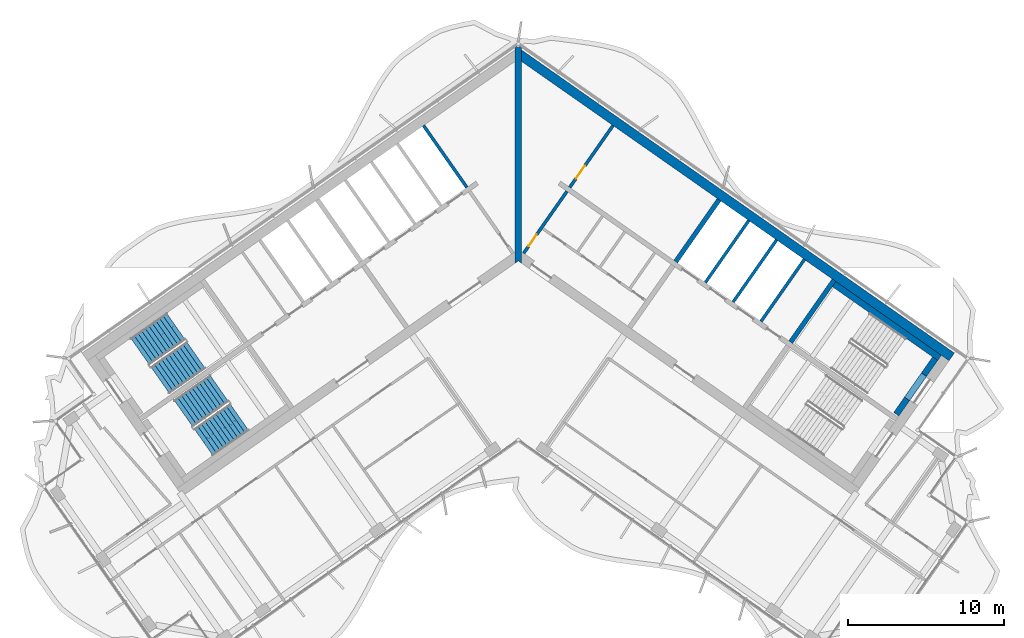
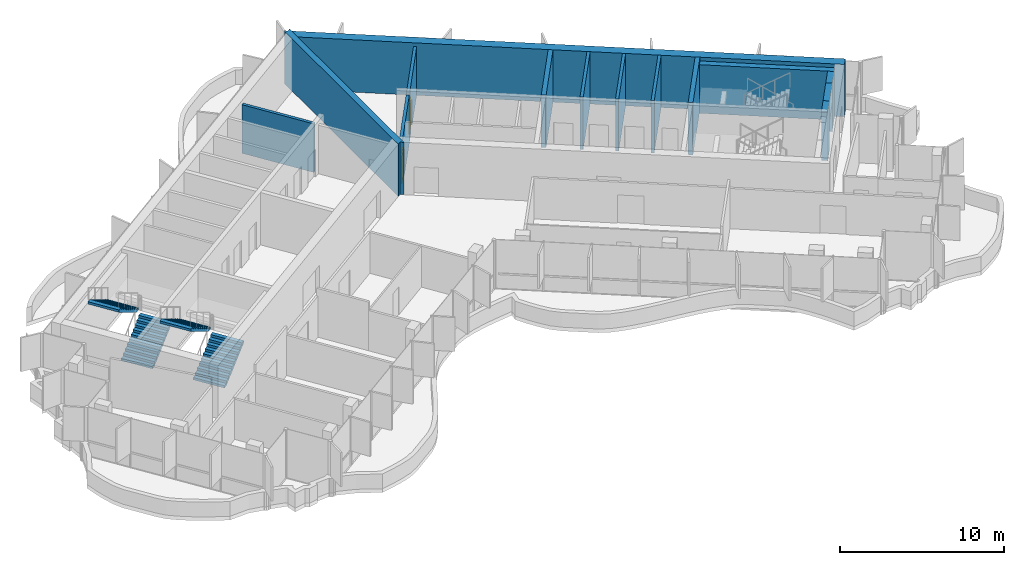
# One storey, part 11 of 18: 14 walls, 4 stair flights, 2 doors, 2 openings, 2 elements without a shape of their own.
"""IFC4 building model written with IfcOpenShell, lengths in metres."""

from ifc_helpers import new_model, si_unit, direction, frame, frame_2d, origin, place, context, subcontext, project, spatial, polyline, rectangle, outline, extrude, material, layer, layer_set, type_object, element, fill, aggregate, save


model = new_model("IFC4")

# Units and contexts
model_context = context("Model", 3, precision=1e-05, world=origin(), true_north=direction((0.0, 1.0)))
body_context = subcontext(model_context, "Body", "Model", "MODEL_VIEW")
ifc_project = project(units=[si_unit("LENGTHUNIT", "METRE"), si_unit("AREAUNIT", "SQUARE_METRE"), si_unit("VOLUMEUNIT", "CUBIC_METRE"), si_unit("PLANEANGLEUNIT", "RADIAN"), si_unit("MASSUNIT", "GRAM", prefix="KILO")], contexts=[model_context])

# Site, building, storey
site_placement = place(None, origin())
site = spatial("IfcSite", under=ifc_project, at=site_placement, CompositionType="ELEMENT")
building_placement = place(site_placement, origin())
building = spatial("IfcBuilding", under=site, at=building_placement, Name="Tel Ilan Convention Tower", CompositionType="ELEMENT")
storey_placement = place(building_placement, frame((0.0, 0.0, 303.39990234375)))
storey = spatial("IfcBuildingStorey", under=building, at=storey_placement, Name="L72", CompositionType="ELEMENT", Elevation=303.39990234375)

# Wall
ifc_material_1 = material(Name="Concrete C30/37", Category="concrete")
ifc_layer_1 = layer(ifc_material_1, 0.199951171875)
ifc_layer_set_1 = layer_set([ifc_layer_1], Name="Core Service Room Wall 200 mm C30/37")
wall_type_1 = type_object("IfcWallType", Name="Core Service Room Wall 200 mm C30/37", PredefinedType="SOLIDWALL", material=ifc_layer_set_1)
wall_1_placement = place(storey_placement, frame((-3.2978515625, 3.489501953125, 0.0), z_axis=(0.0, 0.0, 1.0), x_axis=(-0.573560315113, 0.819163332265, 0.0)))
element("IfcWall", 1, at=wall_1_placement, inside=storey, type_object=wall_type_1, Name="L72 core wall apex-W-b", PredefinedType="SOLIDWALL", context=body_context, shape_type="SweptSolid", body=[
    extrude(rectangle(XDim=4.849853515625, YDim=0.199951171875, at=frame_2d((2.4248046875, 0.0))), origin(), (0.0, 0.0, 1.0), 3.6201171875),
])

# Wall, opening, door
wall_2_placement = place(storey_placement, frame((0.343994140625, -0.729248046875, 0.0), z_axis=(0.0, 0.0, 1.0), x_axis=(0.573560315113, 0.819163332265, 0.0)))
wall_2 = element("IfcWall", 2, at=wall_2_placement, inside=storey, type_object=wall_type_1, Name="L72 core wall apex-E", PredefinedType="SOLIDWALL", context=body_context, shape_type="SweptSolid", body=[
    extrude(rectangle(XDim=4.849853515625, YDim=0.199951171875, at=frame_2d((2.4248046875, 0.0))), origin(), (0.0, 0.0, 1.0), 3.6201171875),
])
opening_1_placement = place(wall_2_placement, frame((0.550048828125, 0.0, 0.0)))
opening_1 = element("IfcOpeningElement", 3, at=opening_1_placement, cuts=wall_2, Name="Opening CD5401", PredefinedType="OPENING", context=body_context, shape_type="SweptSolid", body=[
    extrude(rectangle(XDim=0.89990234375, YDim=2.10009765625, at=frame_2d((0.449951171875, 1.050048828125))), frame((0.0, 0.10986328125, 0.0), z_axis=(0.0, -1.0, 0.0), x_axis=(1.0, 0.0, 0.0)), (0.0, 0.0, 1.0), 0.219970703125),
])
ifc_material_2 = material(Name="Galvanised Steel Door Leaf", Category="steel")
door_type_1 = type_object("IfcDoorType", Name="Service Room Door 900 x 2100 FD60", OperationType="NOTDEFINED", PredefinedType="DOOR", material=ifc_material_2)
door_1_placement = place(opening_1_placement, origin())
door_1 = element("IfcDoor", 4, at=door_1_placement, inside=storey, type_object=door_type_1, Name="Data Room door", OperationType="SINGLE_SWING_RIGHT", OverallHeight=2.10009765625, OverallWidth=0.89990234375, PredefinedType="DOOR", context=body_context, shape_type="SweptSolid", body=[
    extrude(rectangle(XDim=0.89990234375, YDim=2.10009765625, at=frame_2d((0.449951171875, 1.050048828125))), frame((0.0, 0.02490234375, 0.0), z_axis=(0.0, -1.0, 0.0), x_axis=(1.0, 0.0, 0.0)), (0.0, 0.0, 1.0), 0.050048828125),
])
fill(opening_1, door_1)

wall_3_placement = place(storey_placement, frame((3.2978515625, 3.489501953125, 0.0), z_axis=(0.0, 0.0, 1.0), x_axis=(0.573560315113, 0.819163332265, 0.0)))
wall_3 = element("IfcWall", 5, at=wall_3_placement, inside=storey, type_object=wall_type_1, Name="L72 core wall apex-E-b", PredefinedType="SOLIDWALL", context=body_context, shape_type="SweptSolid", body=[
    extrude(rectangle(XDim=4.849853515625, YDim=0.199951171875, at=frame_2d((2.4248046875, 0.0))), origin(), (0.0, 0.0, 1.0), 3.6201171875),
])
opening_2_placement = place(wall_3_placement, frame((0.699951171875, 0.0, 0.0)))
opening_2 = element("IfcOpeningElement", 6, at=opening_2_placement, cuts=wall_3, Name="Opening CD5403", PredefinedType="OPENING", context=body_context, shape_type="SweptSolid", body=[
    extrude(rectangle(XDim=1.0, YDim=2.10009765625, at=frame_2d((0.5, 1.050048828125))), frame((0.0, 0.10986328125, 0.0), z_axis=(0.0, -1.0, 0.0), x_axis=(1.0, 0.0, 0.0)), (0.0, 0.0, 1.0), 0.219970703125),
])
ifc_material_3 = material(Name="Galvanised Steel Door Leaf", Category="steel")
door_type_2 = type_object("IfcDoorType", Name="Service Room Door 1000 x 2100 FD60", OperationType="NOTDEFINED", PredefinedType="DOOR", material=ifc_material_3)
door_2_placement = place(opening_2_placement, origin())
door_2 = element("IfcDoor", 7, at=door_2_placement, inside=storey, type_object=door_type_2, Name="Plant Room door", OperationType="SINGLE_SWING_RIGHT", OverallHeight=2.10009765625, OverallWidth=1.0, PredefinedType="DOOR", context=body_context, shape_type="SweptSolid", body=[
    extrude(rectangle(XDim=1.0, YDim=2.10009765625, at=frame_2d((0.5, 1.050048828125))), frame((0.0, 0.02490234375, 0.0), z_axis=(0.0, -1.0, 0.0), x_axis=(1.0, 0.0, 0.0)), (0.0, 0.0, 1.0), 0.050048828125),
])
fill(opening_2, door_2)

# Walls
ifc_material_4 = material(Name="Concrete C40/50", Category="concrete")
ifc_layer_2 = layer(ifc_material_4, 0.300048828125)
ifc_layer_set_2 = layer_set([ifc_layer_2], Name="Core Shear Wall 300 mm C40/50")
wall_type_2 = type_object("IfcWallType", Name="Core Shear Wall 300 mm C40/50", PredefinedType="SHEAR", material=ifc_layer_set_2)
wall_4_placement = place(storey_placement, frame((10.096923828125, -1.271240234375, 0.0), z_axis=(0.0, 0.0, 1.0), x_axis=(0.573560315113, 0.819163332265, 0.0)))
element("IfcWall", 8, at=wall_4_placement, inside=storey, type_object=wall_type_2, Name="L72 core wall E-cross1-2", PredefinedType="SHEAR", context=body_context, shape_type="SweptSolid", body=[
    extrude(outline(polyline([(4.849853515625, -0.150146484375), (4.849853515625, 0.14990234375), (0.0, 0.150146484375), (0.0, -0.14990234375), (4.849853515625, -0.150146484375)])), origin(), (0.0, 0.0, 1.0), 3.900146484375),
])
wall_5_placement = place(storey_placement, frame((17.46923828125, -6.433349609375, 0.0), z_axis=(0.0, 0.0, 1.0), x_axis=(0.573594092424, 0.81913968109, 0.0)))
element("IfcWall", 9, at=wall_5_placement, inside=storey, type_object=wall_type_2, Name="L72 core wall E-cross2-2", PredefinedType="SHEAR", context=body_context, shape_type="SweptSolid", body=[
    extrude(outline(polyline([(4.849853515625, -0.14990234375), (4.849853515625, 0.150146484375), (0.0, 0.14990234375), (0.0, -0.14990234375), (4.849853515625, -0.14990234375)])), origin(), (0.0, 0.0, 1.0), 3.900146484375),
])
ifc_material_5 = material(Name="Concrete C40/50", Category="concrete")
ifc_layer_3 = layer(ifc_material_5, 0.39990234375)
ifc_layer_set_3 = layer_set([ifc_layer_3], Name="Core Shear Wall 400 mm C40/50")
wall_type_3 = type_object("IfcWallType", Name="Core Shear Wall 400 mm C40/50", PredefinedType="SHEAR", material=ifc_layer_set_3)
wall_6_placement = place(storey_placement, frame((0.0, -1.36083984375, 0.0), z_axis=(0.0, 0.0, 1.0), x_axis=(0.0, 1.0, 0.0)))
element("IfcWall", 10, at=wall_6_placement, inside=storey, type_object=wall_type_3, Name="L72 core wall K-central", PredefinedType="SHEAR", context=body_context, shape_type="SweptSolid", body=[
    extrude(outline(polyline([(0.14013671875, 0.199951171875), (0.0, 0.199951171875), (0.14013671875, 0.0), (0.0, -0.199951171875), (0.14013671875, -0.199951171875), (1.012451171875, -0.199951171875), (12.940185546875, -0.199951171875), (13.812744140625, -0.199951171875), (13.893310546875, -0.199951171875), (13.933349609375, -0.172119140625), (13.812744140625, 0.0), (13.933349609375, 0.172119140625), (13.893310546875, 0.199951171875), (13.812744140625, 0.199951171875), (12.940185546875, 0.199951171875), (1.012451171875, 0.199951171875), (0.14013671875, 0.199951171875)])), origin(), (0.0, 0.0, 1.0), 3.900146484375),
])
ifc_material_6 = material(Name="Concrete C40/50", Category="concrete")
ifc_layer_4 = layer(ifc_material_6, 0.60009765625)
ifc_layer_set_4 = layer_set([ifc_layer_4], Name="Core Shear Wall 600 mm C40/50")
wall_type_4 = type_object("IfcWallType", Name="Core Shear Wall 600 mm C40/50", PredefinedType="SHEAR", material=ifc_layer_set_4)
wall_7_placement = place(storey_placement, frame((0.02783203125, 12.066162109375, 0.0), z_axis=(0.0, 0.0, 1.0), x_axis=(0.819151382952, -0.573577380837, 0.0)))
element("IfcWall", 11, at=wall_7_placement, inside=storey, type_object=wall_type_4, Name="L72 core wall E-back", PredefinedType="SHEAR", context=body_context, shape_type="SweptSolid", body=[
    extrude(outline(polyline([(33.898193359375, 0.300048828125), (0.0, 0.300048828125), (0.420166015625, -0.300048828125), (33.89794921875, -0.300048828125), (33.898193359375, 0.300048828125)])), origin(), (0.0, 0.0, 1.0), 3.900146484375),
])
ifc_material_7 = material(Name="Concrete C30/37", Category="concrete")
ifc_layer_5 = layer(ifc_material_7, 0.199951171875)
ifc_layer_set_5 = layer_set([ifc_layer_5], Name="Lift Shaft Wall 200 mm C30/37")
wall_type_5 = type_object("IfcWallType", Name="Lift Shaft Wall 200 mm C30/37", PredefinedType="SOLIDWALL", material=ifc_layer_set_5)
wall_8_placement = place(storey_placement, frame((12.00146484375, -2.604736328125, 0.0), z_axis=(0.0, 0.0, 1.0), x_axis=(0.573560315113, 0.819163332265, 0.0)))
element("IfcWall", 12, at=wall_8_placement, inside=storey, type_object=wall_type_5, Name="L72 core wall bank-E2-p0", PredefinedType="SOLIDWALL", context=body_context, shape_type="SweptSolid", body=[
    extrude(rectangle(XDim=4.849853515625, YDim=0.199951171875, at=frame_2d((2.4248046875, 0.0))), origin(), (0.0, 0.0, 1.0), 3.900146484375),
])
wall_9_placement = place(storey_placement, frame((13.782958984375, -3.852294921875, 0.0), z_axis=(0.0, 0.0, 1.0), x_axis=(0.573594092424, 0.81913968109, 0.0)))
element("IfcWall", 13, at=wall_9_placement, inside=storey, type_object=wall_type_5, Name="L72 core wall bank-E2-p1", PredefinedType="SOLIDWALL", context=body_context, shape_type="SweptSolid", body=[
    extrude(rectangle(XDim=4.85009765625, YDim=0.199951171875, at=frame_2d((2.425048828125, 0.0))), origin(), (0.0, 0.0, 1.0), 3.900146484375),
])
wall_10_placement = place(storey_placement, frame((15.564697265625, -5.099853515625, 0.0), z_axis=(0.0, 0.0, 1.0), x_axis=(0.573560315113, 0.819163332265, 0.0)))
element("IfcWall", 14, at=wall_10_placement, inside=storey, type_object=wall_type_5, Name="L72 core wall bank-E2-p2", PredefinedType="SOLIDWALL", context=body_context, shape_type="SweptSolid", body=[
    extrude(rectangle(XDim=4.849853515625, YDim=0.199951171875, at=frame_2d((2.4248046875, 0.0))), origin(), (0.0, 0.0, 1.0), 3.900146484375),
])
ifc_material_8 = material(Name="Concrete C30/37", Category="concrete")
ifc_layer_6 = layer(ifc_material_8, 0.39990234375)
ifc_layer_set_6 = layer_set([ifc_layer_6], Name="Stair and Shaft Lining Wall 400 mm C30/37")
wall_type_6 = type_object("IfcWallType", Name="Stair and Shaft Lining Wall 400 mm C30/37", PredefinedType="SOLIDWALL", material=ifc_layer_set_6)
wall_11_placement = place(storey_placement, frame((20.25927734375, -2.71044921875, 0.0), z_axis=(0.0, 0.0, 1.0), x_axis=(0.81914849389, -0.573581506813, 0.0)))
element("IfcWall", 15, at=wall_11_placement, inside=storey, type_object=wall_type_6, Name="L72 core wall lining-S3-t1", PredefinedType="SOLIDWALL", context=body_context, shape_type="SweptSolid", body=[
    extrude(rectangle(XDim=8.249755859375, YDim=0.39990234375, at=frame_2d((4.125, 0.0))), origin(), (0.0, 0.0, 1.0), 3.6201171875),
])
wall_12_placement = place(storey_placement, frame((24.24365234375, -11.0546875, 0.0), z_axis=(0.0, 0.0, 1.0), x_axis=(0.573571582932, 0.819155442668, 0.0)))
element("IfcWall", 16, at=wall_12_placement, inside=storey, type_object=wall_type_6, Name="L72 core wall lining-S3-u1-0", PredefinedType="SOLIDWALL", context=body_context, shape_type="SweptSolid", body=[
    extrude(rectangle(XDim=1.199951171875, YDim=0.39990234375, at=frame_2d((0.60009765625, 0.0))), origin(), (0.0, 0.0, 1.0), 3.6201171875),
])
wall_13_placement = place(storey_placement, frame((26.021728515625, -8.515380859375, 0.0), z_axis=(0.0, 0.0, 1.0), x_axis=(0.573619628835, 0.819121798889, 0.0)))
element("IfcWall", 17, at=wall_13_placement, inside=storey, type_object=wall_type_6, Name="L72 core wall lining-S3-u1-1", PredefinedType="SOLIDWALL", context=body_context, shape_type="SweptSolid", body=[
    extrude(rectangle(XDim=1.25, YDim=0.39990234375, at=frame_2d((0.625, 0.0))), origin(), (0.0, 0.0, 1.0), 3.6201171875),
])
wall_14_placement = place(storey_placement, frame((24.931884765625, -10.07177734375, 2.150146484375), z_axis=(0.0, 0.0, 1.0), x_axis=(0.573591692345, 0.819141361715, 0.0)))
element("IfcWall", 18, at=wall_14_placement, inside=storey, type_object=wall_type_6, Name="L72 core wall lining-S3-u1-lintel", PredefinedType="SOLIDWALL", context=body_context, shape_type="SweptSolid", body=[
    extrude(rectangle(XDim=1.900146484375, YDim=0.39990234375, at=frame_2d((0.9501953125, 0.0))), origin(), (0.0, 0.0, 1.0), 1.469970703125),
])

# Stair, stair flights
ifc_material_9 = material(Name="Concrete C40/50", Category="concrete")
stair_type = type_object("IfcStairType", Name="Pressurised Exit Stair 22 risers 177 mm", PredefinedType="HALF_TURN_STAIR", material=ifc_material_9)
stair_1_placement = place(storey_placement, origin())
stair_1 = element("IfcStair", 19, at=stair_1_placement, inside=storey, type_object=stair_type, Name="L72 Pressurised Stair S1", PredefinedType="HALF_TURN_STAIR")
ifc_material_10 = material(Name="Precast Concrete C40/50", Category="concrete")
stair_flight_type = type_object("IfcStairFlightType", Name="Concrete Stair Flight 2100 mm 22 risers 177 mm", PredefinedType="STRAIGHT", material=ifc_material_10)
stair_flight_1_placement = place(storey_placement, frame((-22.9619140625, -8.87548828125, 0.0), z_axis=(0.0, 0.0, 1.0), x_axis=(0.819152044289, 0.573576436351, 0.0)))
stair_flight_1 = element("IfcStairFlight", 20, at=stair_flight_1_placement, type_object=stair_flight_type, Name="S1 flight 1", NumberOfRisers=11, NumberOfTreads=10, PredefinedType="STRAIGHT", RiserHeight=0.177272727, TreadLength=0.28, context=body_context, shape_type="SweptSolid", body=[
    extrude(outline(polyline([(0.0, 0.0), (0.0, 0.17724609375), (0.280029296875, 0.17724609375), (0.280029296875, 0.3544921875), (0.56005859375, 0.3544921875), (0.56005859375, 0.53173828125), (0.840087890625, 0.53173828125), (0.840087890625, 0.708984375), (1.1201171875, 0.708984375), (1.1201171875, 0.886474609375), (1.39990234375, 0.886474609375), (1.39990234375, 1.063720703125), (1.679931640625, 1.063720703125), (1.679931640625, 1.240966796875), (1.9599609375, 1.240966796875), (1.9599609375, 1.418212890625), (2.239990234375, 1.418212890625), (2.239990234375, 1.595458984375), (2.52001953125, 1.595458984375), (2.52001953125, 1.772705078125), (2.800048828125, 1.772705078125), (2.800048828125, 1.949951171875), (2.800048828125, 1.59521484375), (0.2802734375, 0.0), (0.0, 0.0)])), frame((0.0, -0.100341796875, 0.0), z_axis=(0.0, -1.0, 0.0), x_axis=(1.0, 0.0, 0.0)), (0.0, 0.0, 1.0), 0.94970703125),
    extrude(outline(polyline([(0.0, 0.0), (0.0, 0.17724609375), (0.280029296875, 0.17724609375), (0.280029296875, 0.3544921875), (0.56005859375, 0.3544921875), (0.56005859375, 0.53173828125), (0.840087890625, 0.53173828125), (0.840087890625, 0.708984375), (1.1201171875, 0.708984375), (1.1201171875, 0.886474609375), (1.39990234375, 0.886474609375), (1.39990234375, 1.063720703125), (1.679931640625, 1.063720703125), (1.679931640625, 1.240966796875), (1.9599609375, 1.240966796875), (1.9599609375, 1.418212890625), (2.239990234375, 1.418212890625), (2.239990234375, 1.595458984375), (2.52001953125, 1.595458984375), (2.52001953125, 1.772705078125), (2.800048828125, 1.772705078125), (2.800048828125, 1.949951171875), (2.800048828125, 1.59521484375), (0.2802734375, 0.0), (0.0, 0.0)])), frame((0.0, -0.000244140625, 0.0), z_axis=(0.0, -1.0, 0.0), x_axis=(1.0, 0.0, 0.0)), (0.0, 0.0, 1.0), 0.099609375),
    extrude(outline(polyline([(0.0, 0.0), (0.0, 0.17724609375), (0.280029296875, 0.17724609375), (0.280029296875, 0.3544921875), (0.56005859375, 0.3544921875), (0.56005859375, 0.53173828125), (0.840087890625, 0.53173828125), (0.840087890625, 0.708984375), (1.1201171875, 0.708984375), (1.1201171875, 0.886474609375), (1.39990234375, 0.886474609375), (1.39990234375, 1.063720703125), (1.679931640625, 1.063720703125), (1.679931640625, 1.240966796875), (1.9599609375, 1.240966796875), (1.9599609375, 1.418212890625), (2.239990234375, 1.418212890625), (2.239990234375, 1.595458984375), (2.52001953125, 1.595458984375), (2.52001953125, 1.772705078125), (2.800048828125, 1.772705078125), (2.800048828125, 1.949951171875), (2.800048828125, 1.59521484375), (0.2802734375, 0.0), (0.0, 0.0)])), frame((0.0, 0.099853515625, 0.0), z_axis=(0.0, -1.0, 0.0), x_axis=(1.0, 0.0, 0.0)), (0.0, 0.0, 1.0), 0.099609375),
    extrude(outline(polyline([(0.0, 0.0), (0.0, 0.17724609375), (0.280029296875, 0.17724609375), (0.280029296875, 0.3544921875), (0.56005859375, 0.3544921875), (0.56005859375, 0.53173828125), (0.840087890625, 0.53173828125), (0.840087890625, 0.708984375), (1.1201171875, 0.708984375), (1.1201171875, 0.886474609375), (1.39990234375, 0.886474609375), (1.39990234375, 1.063720703125), (1.679931640625, 1.063720703125), (1.679931640625, 1.240966796875), (1.9599609375, 1.240966796875), (1.9599609375, 1.418212890625), (2.239990234375, 1.418212890625), (2.239990234375, 1.595458984375), (2.52001953125, 1.595458984375), (2.52001953125, 1.772705078125), (2.800048828125, 1.772705078125), (2.800048828125, 1.949951171875), (2.800048828125, 1.59521484375), (0.2802734375, 0.0), (0.0, 0.0)])), frame((0.0, 1.050048828125, 0.0), z_axis=(0.0, -1.0, 0.0), x_axis=(1.0, 0.0, 0.0)), (0.0, 0.0, 1.0), 0.94970703125),
])
stair_flight_2_placement = place(storey_placement, frame((-21.958740234375, -5.42626953125, 1.9501953125), z_axis=(0.0, 0.0, 1.0), x_axis=(-0.819152044289, -0.573576436351, 0.0)))
stair_flight_2 = element("IfcStairFlight", 21, at=stair_flight_2_placement, type_object=stair_flight_type, Name="S1 flight 2", NumberOfRisers=11, NumberOfTreads=10, PredefinedType="STRAIGHT", RiserHeight=0.177272727, TreadLength=0.28, context=body_context, shape_type="SweptSolid", body=[
    extrude(outline(polyline([(0.0, 0.0), (0.0, 0.17724609375), (0.280029296875, 0.17724609375), (0.280029296875, 0.3544921875), (0.56005859375, 0.3544921875), (0.56005859375, 0.53173828125), (0.840087890625, 0.53173828125), (0.840087890625, 0.708984375), (1.1201171875, 0.708984375), (1.1201171875, 0.886474609375), (1.39990234375, 0.886474609375), (1.39990234375, 1.063720703125), (1.679931640625, 1.063720703125), (1.679931640625, 1.240966796875), (1.9599609375, 1.240966796875), (1.9599609375, 1.418212890625), (2.239990234375, 1.418212890625), (2.239990234375, 1.595458984375), (2.52001953125, 1.595458984375), (2.52001953125, 1.772705078125), (2.800048828125, 1.772705078125), (2.800048828125, 1.949951171875), (2.800048828125, 1.59521484375), (0.2802734375, 0.0), (0.0, 0.0)])), frame((0.0, -0.100341796875, 0.0), z_axis=(0.0, -1.0, 0.0), x_axis=(1.0, 0.0, 0.0)), (0.0, 0.0, 1.0), 0.94970703125),
    extrude(outline(polyline([(0.0, 0.0), (0.0, 0.17724609375), (0.280029296875, 0.17724609375), (0.280029296875, 0.3544921875), (0.56005859375, 0.3544921875), (0.56005859375, 0.53173828125), (0.840087890625, 0.53173828125), (0.840087890625, 0.708984375), (1.1201171875, 0.708984375), (1.1201171875, 0.886474609375), (1.39990234375, 0.886474609375), (1.39990234375, 1.063720703125), (1.679931640625, 1.063720703125), (1.679931640625, 1.240966796875), (1.9599609375, 1.240966796875), (1.9599609375, 1.418212890625), (2.239990234375, 1.418212890625), (2.239990234375, 1.595458984375), (2.52001953125, 1.595458984375), (2.52001953125, 1.772705078125), (2.800048828125, 1.772705078125), (2.800048828125, 1.949951171875), (2.800048828125, 1.59521484375), (0.2802734375, 0.0), (0.0, 0.0)])), frame((0.0, -0.000244140625, 0.0), z_axis=(0.0, -1.0, 0.0), x_axis=(1.0, 0.0, 0.0)), (0.0, 0.0, 1.0), 0.099609375),
    extrude(outline(polyline([(0.0, 0.0), (0.0, 0.17724609375), (0.280029296875, 0.17724609375), (0.280029296875, 0.3544921875), (0.56005859375, 0.3544921875), (0.56005859375, 0.53173828125), (0.840087890625, 0.53173828125), (0.840087890625, 0.708984375), (1.1201171875, 0.708984375), (1.1201171875, 0.886474609375), (1.39990234375, 0.886474609375), (1.39990234375, 1.063720703125), (1.679931640625, 1.063720703125), (1.679931640625, 1.240966796875), (1.9599609375, 1.240966796875), (1.9599609375, 1.418212890625), (2.239990234375, 1.418212890625), (2.239990234375, 1.595458984375), (2.52001953125, 1.595458984375), (2.52001953125, 1.772705078125), (2.800048828125, 1.772705078125), (2.800048828125, 1.949951171875), (2.800048828125, 1.59521484375), (0.2802734375, 0.0), (0.0, 0.0)])), frame((0.0, 0.099853515625, 0.0), z_axis=(0.0, -1.0, 0.0), x_axis=(1.0, 0.0, 0.0)), (0.0, 0.0, 1.0), 0.099609375),
    extrude(outline(polyline([(0.0, 0.0), (0.0, 0.17724609375), (0.280029296875, 0.17724609375), (0.280029296875, 0.3544921875), (0.56005859375, 0.3544921875), (0.56005859375, 0.53173828125), (0.840087890625, 0.53173828125), (0.840087890625, 0.708984375), (1.1201171875, 0.708984375), (1.1201171875, 0.886474609375), (1.39990234375, 0.886474609375), (1.39990234375, 1.063720703125), (1.679931640625, 1.063720703125), (1.679931640625, 1.240966796875), (1.9599609375, 1.240966796875), (1.9599609375, 1.418212890625), (2.239990234375, 1.418212890625), (2.239990234375, 1.595458984375), (2.52001953125, 1.595458984375), (2.52001953125, 1.772705078125), (2.800048828125, 1.772705078125), (2.800048828125, 1.949951171875), (2.800048828125, 1.59521484375), (0.2802734375, 0.0), (0.0, 0.0)])), frame((0.0, 1.050048828125, 0.0), z_axis=(0.0, -1.0, 0.0), x_axis=(1.0, 0.0, 0.0)), (0.0, 0.0, 1.0), 0.94970703125),
])
aggregate(stair_1, [stair_flight_1, stair_flight_2])

stair_2_placement = place(storey_placement, origin())
stair_2 = element("IfcStair", 22, at=stair_2_placement, inside=storey, type_object=stair_type, Name="L72 Pressurised Stair S2", PredefinedType="HALF_TURN_STAIR")
stair_flight_3_placement = place(storey_placement, frame((-20.179931640625, -12.848388671875, 0.0), z_axis=(0.0, 0.0, 1.0), x_axis=(0.819152044289, 0.573576436351, 0.0)))
stair_flight_3 = element("IfcStairFlight", 23, at=stair_flight_3_placement, type_object=stair_flight_type, Name="S2 flight 1", NumberOfRisers=11, NumberOfTreads=10, PredefinedType="STRAIGHT", RiserHeight=0.177272727, TreadLength=0.28, context=body_context, shape_type="SweptSolid", body=[
    extrude(outline(polyline([(0.0, 0.0), (0.0, 0.17724609375), (0.280029296875, 0.17724609375), (0.280029296875, 0.3544921875), (0.56005859375, 0.3544921875), (0.56005859375, 0.53173828125), (0.840087890625, 0.53173828125), (0.840087890625, 0.708984375), (1.1201171875, 0.708984375), (1.1201171875, 0.886474609375), (1.39990234375, 0.886474609375), (1.39990234375, 1.063720703125), (1.679931640625, 1.063720703125), (1.679931640625, 1.240966796875), (1.9599609375, 1.240966796875), (1.9599609375, 1.418212890625), (2.239990234375, 1.418212890625), (2.239990234375, 1.595458984375), (2.52001953125, 1.595458984375), (2.52001953125, 1.772705078125), (2.800048828125, 1.772705078125), (2.800048828125, 1.949951171875), (2.800048828125, 1.59521484375), (0.2802734375, 0.0), (0.0, 0.0)])), frame((0.0, -0.100341796875, 0.0), z_axis=(0.0, -1.0, 0.0), x_axis=(1.0, 0.0, 0.0)), (0.0, 0.0, 1.0), 0.94970703125),
    extrude(outline(polyline([(0.0, 0.0), (0.0, 0.17724609375), (0.280029296875, 0.17724609375), (0.280029296875, 0.3544921875), (0.56005859375, 0.3544921875), (0.56005859375, 0.53173828125), (0.840087890625, 0.53173828125), (0.840087890625, 0.708984375), (1.1201171875, 0.708984375), (1.1201171875, 0.886474609375), (1.39990234375, 0.886474609375), (1.39990234375, 1.063720703125), (1.679931640625, 1.063720703125), (1.679931640625, 1.240966796875), (1.9599609375, 1.240966796875), (1.9599609375, 1.418212890625), (2.239990234375, 1.418212890625), (2.239990234375, 1.595458984375), (2.52001953125, 1.595458984375), (2.52001953125, 1.772705078125), (2.800048828125, 1.772705078125), (2.800048828125, 1.949951171875), (2.800048828125, 1.59521484375), (0.2802734375, 0.0), (0.0, 0.0)])), frame((0.0, -0.000244140625, 0.0), z_axis=(0.0, -1.0, 0.0), x_axis=(1.0, 0.0, 0.0)), (0.0, 0.0, 1.0), 0.099609375),
    extrude(outline(polyline([(0.0, 0.0), (0.0, 0.17724609375), (0.280029296875, 0.17724609375), (0.280029296875, 0.3544921875), (0.56005859375, 0.3544921875), (0.56005859375, 0.53173828125), (0.840087890625, 0.53173828125), (0.840087890625, 0.708984375), (1.1201171875, 0.708984375), (1.1201171875, 0.886474609375), (1.39990234375, 0.886474609375), (1.39990234375, 1.063720703125), (1.679931640625, 1.063720703125), (1.679931640625, 1.240966796875), (1.9599609375, 1.240966796875), (1.9599609375, 1.418212890625), (2.239990234375, 1.418212890625), (2.239990234375, 1.595458984375), (2.52001953125, 1.595458984375), (2.52001953125, 1.772705078125), (2.800048828125, 1.772705078125), (2.800048828125, 1.949951171875), (2.800048828125, 1.59521484375), (0.2802734375, 0.0), (0.0, 0.0)])), frame((0.0, 0.099853515625, 0.0), z_axis=(0.0, -1.0, 0.0), x_axis=(1.0, 0.0, 0.0)), (0.0, 0.0, 1.0), 0.099609375),
    extrude(outline(polyline([(0.0, 0.0), (0.0, 0.17724609375), (0.280029296875, 0.17724609375), (0.280029296875, 0.3544921875), (0.56005859375, 0.3544921875), (0.56005859375, 0.53173828125), (0.840087890625, 0.53173828125), (0.840087890625, 0.708984375), (1.1201171875, 0.708984375), (1.1201171875, 0.886474609375), (1.39990234375, 0.886474609375), (1.39990234375, 1.063720703125), (1.679931640625, 1.063720703125), (1.679931640625, 1.240966796875), (1.9599609375, 1.240966796875), (1.9599609375, 1.418212890625), (2.239990234375, 1.418212890625), (2.239990234375, 1.595458984375), (2.52001953125, 1.595458984375), (2.52001953125, 1.772705078125), (2.800048828125, 1.772705078125), (2.800048828125, 1.949951171875), (2.800048828125, 1.59521484375), (0.2802734375, 0.0), (0.0, 0.0)])), frame((0.0, 1.050048828125, 0.0), z_axis=(0.0, -1.0, 0.0), x_axis=(1.0, 0.0, 0.0)), (0.0, 0.0, 1.0), 0.94970703125),
])
stair_flight_4_placement = place(storey_placement, frame((-19.177001953125, -9.399169921875, 1.9501953125), z_axis=(0.0, 0.0, 1.0), x_axis=(-0.819152044289, -0.573576436351, 0.0)))
stair_flight_4 = element("IfcStairFlight", 24, at=stair_flight_4_placement, type_object=stair_flight_type, Name="S2 flight 2", NumberOfRisers=11, NumberOfTreads=10, PredefinedType="STRAIGHT", RiserHeight=0.177272727, TreadLength=0.28, context=body_context, shape_type="SweptSolid", body=[
    extrude(outline(polyline([(0.0, 0.0), (0.0, 0.17724609375), (0.280029296875, 0.17724609375), (0.280029296875, 0.3544921875), (0.56005859375, 0.3544921875), (0.56005859375, 0.53173828125), (0.840087890625, 0.53173828125), (0.840087890625, 0.708984375), (1.1201171875, 0.708984375), (1.1201171875, 0.886474609375), (1.39990234375, 0.886474609375), (1.39990234375, 1.063720703125), (1.679931640625, 1.063720703125), (1.679931640625, 1.240966796875), (1.9599609375, 1.240966796875), (1.9599609375, 1.418212890625), (2.239990234375, 1.418212890625), (2.239990234375, 1.595458984375), (2.52001953125, 1.595458984375), (2.52001953125, 1.772705078125), (2.800048828125, 1.772705078125), (2.800048828125, 1.949951171875), (2.800048828125, 1.59521484375), (0.2802734375, 0.0), (0.0, 0.0)])), frame((0.0, -0.100341796875, 0.0), z_axis=(0.0, -1.0, 0.0), x_axis=(1.0, 0.0, 0.0)), (0.0, 0.0, 1.0), 0.94970703125),
    extrude(outline(polyline([(0.0, 0.0), (0.0, 0.17724609375), (0.280029296875, 0.17724609375), (0.280029296875, 0.3544921875), (0.56005859375, 0.3544921875), (0.56005859375, 0.53173828125), (0.840087890625, 0.53173828125), (0.840087890625, 0.708984375), (1.1201171875, 0.708984375), (1.1201171875, 0.886474609375), (1.39990234375, 0.886474609375), (1.39990234375, 1.063720703125), (1.679931640625, 1.063720703125), (1.679931640625, 1.240966796875), (1.9599609375, 1.240966796875), (1.9599609375, 1.418212890625), (2.239990234375, 1.418212890625), (2.239990234375, 1.595458984375), (2.52001953125, 1.595458984375), (2.52001953125, 1.772705078125), (2.800048828125, 1.772705078125), (2.800048828125, 1.949951171875), (2.800048828125, 1.59521484375), (0.2802734375, 0.0), (0.0, 0.0)])), frame((0.0, -0.000244140625, 0.0), z_axis=(0.0, -1.0, 0.0), x_axis=(1.0, 0.0, 0.0)), (0.0, 0.0, 1.0), 0.099609375),
    extrude(outline(polyline([(0.0, 0.0), (0.0, 0.17724609375), (0.280029296875, 0.17724609375), (0.280029296875, 0.3544921875), (0.56005859375, 0.3544921875), (0.56005859375, 0.53173828125), (0.840087890625, 0.53173828125), (0.840087890625, 0.708984375), (1.1201171875, 0.708984375), (1.1201171875, 0.886474609375), (1.39990234375, 0.886474609375), (1.39990234375, 1.063720703125), (1.679931640625, 1.063720703125), (1.679931640625, 1.240966796875), (1.9599609375, 1.240966796875), (1.9599609375, 1.418212890625), (2.239990234375, 1.418212890625), (2.239990234375, 1.595458984375), (2.52001953125, 1.595458984375), (2.52001953125, 1.772705078125), (2.800048828125, 1.772705078125), (2.800048828125, 1.949951171875), (2.800048828125, 1.59521484375), (0.2802734375, 0.0), (0.0, 0.0)])), frame((0.0, 0.099853515625, 0.0), z_axis=(0.0, -1.0, 0.0), x_axis=(1.0, 0.0, 0.0)), (0.0, 0.0, 1.0), 0.099609375),
    extrude(outline(polyline([(0.0, 0.0), (0.0, 0.17724609375), (0.280029296875, 0.17724609375), (0.280029296875, 0.3544921875), (0.56005859375, 0.3544921875), (0.56005859375, 0.53173828125), (0.840087890625, 0.53173828125), (0.840087890625, 0.708984375), (1.1201171875, 0.708984375), (1.1201171875, 0.886474609375), (1.39990234375, 0.886474609375), (1.39990234375, 1.063720703125), (1.679931640625, 1.063720703125), (1.679931640625, 1.240966796875), (1.9599609375, 1.240966796875), (1.9599609375, 1.418212890625), (2.239990234375, 1.418212890625), (2.239990234375, 1.595458984375), (2.52001953125, 1.595458984375), (2.52001953125, 1.772705078125), (2.800048828125, 1.772705078125), (2.800048828125, 1.949951171875), (2.800048828125, 1.59521484375), (0.2802734375, 0.0), (0.0, 0.0)])), frame((0.0, 1.050048828125, 0.0), z_axis=(0.0, -1.0, 0.0), x_axis=(1.0, 0.0, 0.0)), (0.0, 0.0, 1.0), 0.94970703125),
])
aggregate(stair_2, [stair_flight_3, stair_flight_4])

save(model, "model.ifc")
